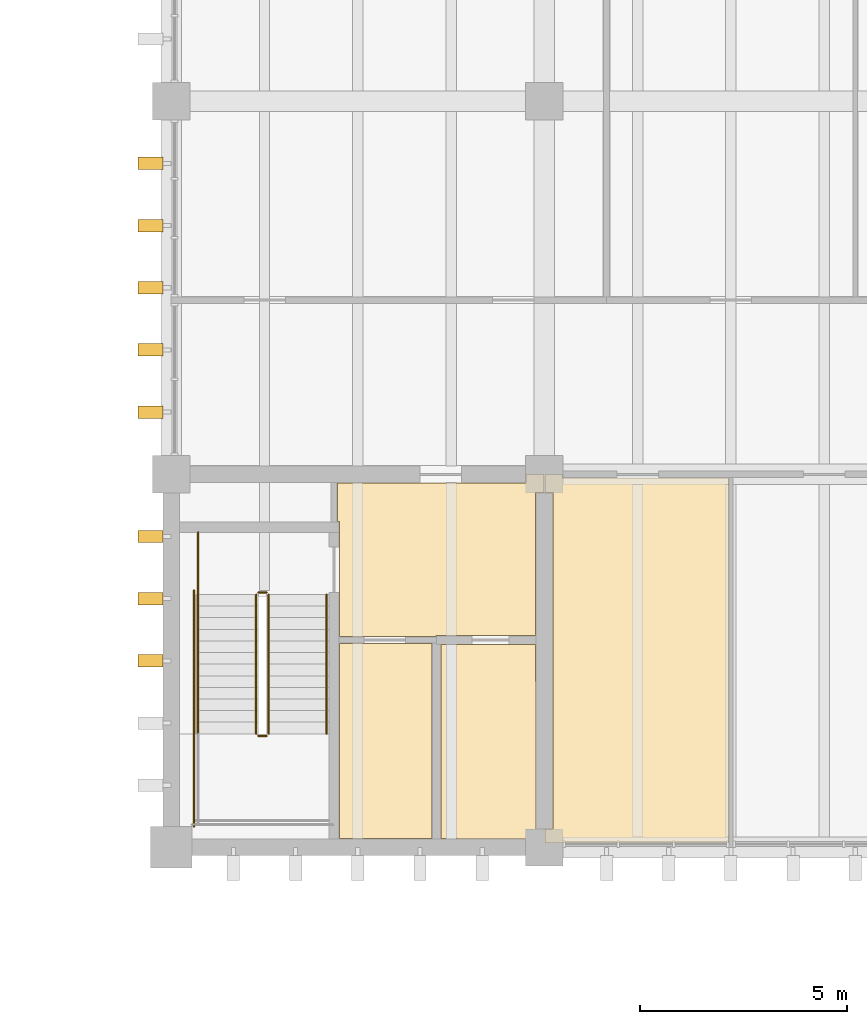
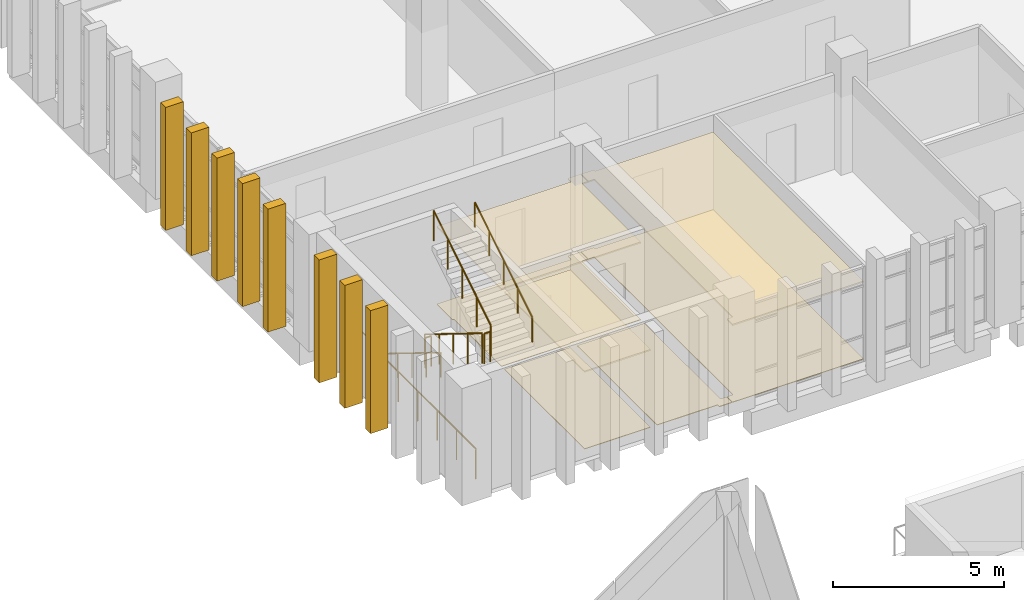
# One storey, part 71 of 74: 8 railings, 8 shading devices, 7 coverings.
"""IFC4 building model written with IfcOpenShell, lengths in metres."""

from ifc_helpers import new_model, si_unit, direction, frame, origin, origin_2d, place, context, subcontext, project, spatial, polyline, circle, outline, extrude, source, transform, mapped, material, layer, layer_set, type_object, element, save


model = new_model("IFC4")

# Units and contexts
model_context = context("Model", 3, precision=1e-05, world=origin(), true_north=direction((0.0, 1.0)))
body_context = subcontext(model_context, "Body", "Model", "MODEL_VIEW")
ifc_project = project(units=[si_unit("LENGTHUNIT", "METRE"), si_unit("AREAUNIT", "SQUARE_METRE"), si_unit("VOLUMEUNIT", "CUBIC_METRE"), si_unit("PLANEANGLEUNIT", "RADIAN"), si_unit("MASSUNIT", "GRAM", prefix="KILO")], contexts=[model_context])

# Site, building, storey
site_placement = place(None, origin())
site = spatial("IfcSite", under=ifc_project, at=site_placement, CompositionType="ELEMENT")
building_placement = place(site_placement, origin())
building = spatial("IfcBuilding", under=site, at=building_placement, Name="Merrow Basin Faculty of Sciences", CompositionType="ELEMENT")
storey_placement = place(building_placement, frame((0.0, 0.0, 13.5)))
storey = spatial("IfcBuildingStorey", under=building, at=storey_placement, Name="L03", CompositionType="ELEMENT", Elevation=13.5)

# Coverings
ifc_material_1 = material(Name="Carpet tile floor")
ifc_layer_1 = layer(ifc_material_1, 0.02001953125)
ifc_layer_set_1 = layer_set([ifc_layer_1], Name="Carpet tile floor")
covering_type_1 = type_object("IfcCoveringType", Name="Carpet tile floor", PredefinedType="FLOORING", material=ifc_layer_set_1)
covering_1_placement = place(storey_placement, origin())
element("IfcCovering", 1, at=covering_1_placement, inside=storey, type_object=covering_type_1, Name="Floor finish L03-T-011", PredefinedType="FLOORING", context=body_context, shape_type="SweptSolid", body=[
    extrude(outline(polyline([(26.989990234375, 142.110107421875), (26.56005859375, 142.110107421875), (26.56005859375, 142.2099609375), (24.510009765625, 142.2099609375), (24.510009765625, 146.889892578125), (26.7900390625, 146.889892578125), (26.7900390625, 142.43994140625), (26.989990234375, 142.43994140625), (26.989990234375, 142.110107421875)])), origin(), (0.0, 0.0, 1.0), 0.02001953125),
])
covering_2_placement = place(storey_placement, origin())
element("IfcCovering", 2, at=covering_2_placement, inside=storey, type_object=covering_type_1, Name="Floor finish L03-T-017", PredefinedType="FLOORING", context=body_context, shape_type="SweptSolid", body=[
    extrude(outline(polyline([(27.43994140625, 150.989990234375), (27.43994140625, 150.9150390625), (31.43994140625, 150.9150390625), (31.43994140625, 142.110107421875), (27.010009765625, 142.110107421875), (27.010009765625, 142.43994140625), (27.2099609375, 142.43994140625), (27.2099609375, 150.56005859375), (27.010009765625, 150.56005859375), (27.010009765625, 150.989990234375), (27.43994140625, 150.989990234375)])), origin(), (0.0, 0.0, 1.0), 0.02001953125),
])
ifc_material_2 = material(Name="Ceramic floor tile")
ifc_layer_2 = layer(ifc_material_2, 0.02001953125)
ifc_layer_set_2 = layer_set([ifc_layer_2], Name="Ceramic floor tile")
covering_type_2 = type_object("IfcCoveringType", Name="Ceramic floor tile", PredefinedType="FLOORING", material=ifc_layer_set_2)
covering_3_placement = place(storey_placement, origin())
element("IfcCovering", 3, at=covering_3_placement, inside=storey, type_object=covering_type_2, Name="Floor finish L03-T-010", PredefinedType="FLOORING", context=body_context, shape_type="SweptSolid", body=[
    extrude(outline(polyline([(24.2900390625, 146.9150390625), (24.2900390625, 142.2099609375), (22.06005859375, 142.2099609375), (22.06005859375, 146.9150390625), (24.2900390625, 146.9150390625)])), origin(), (0.0, 0.0, 1.0), 0.02001953125),
])
ifc_material_3 = material(Name="Polished terrazzo floor")
ifc_layer_3 = layer(ifc_material_3, 0.02001953125)
ifc_layer_set_3 = layer_set([ifc_layer_3], Name="Polished terrazzo floor")
covering_type_3 = type_object("IfcCoveringType", Name="Polished terrazzo floor", PredefinedType="FLOORING", material=ifc_layer_set_3)
covering_4_placement = place(storey_placement, origin())
element("IfcCovering", 4, at=covering_4_placement, inside=storey, type_object=covering_type_3, Name="Floor finish L03-T-009", PredefinedType="FLOORING", context=body_context, shape_type="SweptSolid", body=[
    extrude(outline(polyline([(26.989990234375, 150.989990234375), (26.989990234375, 150.56005859375), (26.7900390625, 150.56005859375), (26.7900390625, 147.110107421875), (24.389892578125, 147.110107421875), (24.389892578125, 147.0849609375), (22.06005859375, 147.0849609375), (22.06005859375, 149.860107421875), (22.010009765625, 149.860107421875), (22.010009765625, 150.7900390625), (26.56005859375, 150.7900390625), (26.56005859375, 150.989990234375), (26.989990234375, 150.989990234375)])), origin(), (0.0, 0.0, 1.0), 0.02001953125),
])

# Railings
ifc_material_4 = material(Name="Steel ASTM A36", Category="steel")
railing_type_1 = type_object("IfcRailingType", Name="Steel guard 1100", PredefinedType="GUARDRAIL", material=ifc_material_4)
railing_1_placement = place(storey_placement, frame((20.050048828125, 148.10009765625, 0.173095703125)))
element("IfcRailing", 5, at=railing_1_placement, inside=storey, type_object=railing_type_1, Name="L03 ST-V5-W stair guard 1", PredefinedType="GUARDRAIL", context=body_context, shape_type="SweptSolid", body=[
    extrude(circle(Radius=0.02392578125, at=origin_2d()), frame((0.0, 0.0, 1.076171875), z_axis=(0.0, -0.850623216509, 0.525775754039), x_axis=(1.0, 0.0, 0.0)), (0.0, 0.0, 1.0), 3.9501953125),
    extrude(circle(Radius=0.02099609375, at=origin_2d()), origin(), (0.0, 0.0, 1.0), 1.052001953125),
    extrude(circle(Radius=0.02099609375, at=origin_2d()), frame((0.0, -0.840087890625, 0.519287109375)), (0.0, 0.0, 1.0), 1.052001953125),
    extrude(circle(Radius=0.02099609375, at=origin_2d()), frame((0.0, -1.68017578125, 1.03857421875)), (0.0, 0.0, 1.0), 1.052001953125),
    extrude(circle(Radius=0.02099609375, at=origin_2d()), frame((0.0, -2.52001953125, 1.5576171875)), (0.0, 0.0, 1.0), 1.052001953125),
    extrude(circle(Radius=0.02099609375, at=origin_2d()), frame((0.0, -3.360107421875, 2.076904296875)), (0.0, 0.0, 1.0), 1.052001953125),
])
railing_2_placement = place(storey_placement, frame((20.10009765625, 144.68994140625, 2.25)))
element("IfcRailing", 6, at=railing_2_placement, inside=storey, type_object=railing_type_1, Name="L03 ST-V5-W stair guard 2", PredefinedType="GUARDRAIL", context=body_context, shape_type="SweptSolid", body=[
    extrude(circle(Radius=0.02392578125, at=origin_2d()), frame((0.0, 0.0, 1.076171875), z_axis=(1.0, 0.0, 0.0), x_axis=(0.0, 1.0, 0.0)), (0.0, 0.0, 1.0), 0.199951171875),
    extrude(circle(Radius=0.02099609375, at=origin_2d()), origin(), (0.0, 0.0, 1.0), 1.052001953125),
    extrude(circle(Radius=0.02099609375, at=origin_2d()), frame((0.199951171875, 0.0, 0.0)), (0.0, 0.0, 1.0), 1.052001953125),
])
railing_3_placement = place(storey_placement, frame((20.35009765625, 144.739990234375, 2.423095703125)))
element("IfcRailing", 7, at=railing_3_placement, inside=storey, type_object=railing_type_1, Name="L03 ST-V5-W stair guard 5", PredefinedType="GUARDRAIL", context=body_context, shape_type="SweptSolid", body=[
    extrude(circle(Radius=0.02392578125, at=origin_2d()), frame((0.0, 0.0, 1.076171875), z_axis=(0.0, 0.850623216509, 0.525775754039), x_axis=(-1.0, 0.0, 0.0)), (0.0, 0.0, 1.0), 3.9501953125),
    extrude(circle(Radius=0.02099609375, at=origin_2d()), origin(), (0.0, 0.0, 1.0), 1.052001953125),
    extrude(circle(Radius=0.02099609375, at=origin_2d()), frame((0.0, 0.840087890625, 0.519287109375)), (0.0, 0.0, 1.0), 1.052001953125),
    extrude(circle(Radius=0.02099609375, at=origin_2d()), frame((0.0, 1.68017578125, 1.03857421875)), (0.0, 0.0, 1.0), 1.052001953125),
    extrude(circle(Radius=0.02099609375, at=origin_2d()), frame((0.0, 2.52001953125, 1.5576171875)), (0.0, 0.0, 1.0), 1.052001953125),
    extrude(circle(Radius=0.02099609375, at=origin_2d()), frame((0.0, 3.360107421875, 2.076904296875)), (0.0, 0.0, 1.0), 1.052001953125),
])
railing_4_placement = place(storey_placement, frame((20.10009765625, 148.14990234375, 0.0)))
element("IfcRailing", 8, at=railing_4_placement, inside=storey, type_object=railing_type_1, Name="L03 ST-V5-W stair guard 6", PredefinedType="GUARDRAIL", context=body_context, shape_type="SweptSolid", body=[
    extrude(circle(Radius=0.02392578125, at=origin_2d()), frame((0.0, 0.0, 1.076171875), z_axis=(1.0, 0.0, 0.0), x_axis=(0.0, 1.0, 0.0)), (0.0, 0.0, 1.0), 0.199951171875),
    extrude(circle(Radius=0.02099609375, at=origin_2d()), origin(), (0.0, 0.0, 1.0), 1.052001953125),
    extrude(circle(Radius=0.02099609375, at=origin_2d()), frame((0.199951171875, 0.0, 0.0)), (0.0, 0.0, 1.0), 1.052001953125),
])
railing_5_placement = place(storey_placement, frame((18.64990234375, 149.60009765625, 0.0)))
element("IfcRailing", 9, at=railing_5_placement, inside=storey, type_object=railing_type_1, Name="L03 ST-V5-W stair guard 7", PredefinedType="GUARDRAIL", context=body_context, shape_type="SweptSolid", body=[
    extrude(circle(Radius=0.02392578125, at=origin_2d()), frame((0.0, 0.0, 1.076171875), z_axis=(0.0, -1.0, 0.0), x_axis=(1.0, 0.0, 0.0)), (0.0, 0.0, 1.0), 1.5),
    extrude(circle(Radius=0.02099609375, at=origin_2d()), origin(), (0.0, 0.0, 1.0), 1.052001953125),
    extrude(circle(Radius=0.02099609375, at=origin_2d()), frame((0.0, -0.75, 0.0)), (0.0, 0.0, 1.0), 1.052001953125),
    extrude(circle(Radius=0.02099609375, at=origin_2d()), frame((0.0, -1.5, 0.0)), (0.0, 0.0, 1.0), 1.052001953125),
])
railing_6_placement = place(storey_placement, frame((18.550048828125, 148.199951171875, 0.0)))
element("IfcRailing", 10, at=railing_6_placement, inside=storey, type_object=railing_type_1, Name="L03 ST-V5-W stair guard 8", PredefinedType="GUARDRAIL", context=body_context, shape_type="SweptSolid", body=[
    extrude(circle(Radius=0.02392578125, at=origin_2d()), frame((0.0, 0.0, 1.076171875), z_axis=(0.0, -1.0, 0.0), x_axis=(1.0, 0.0, 0.0)), (0.0, 0.0, 1.0), 5.699951171875),
    extrude(circle(Radius=0.02099609375, at=origin_2d()), origin(), (0.0, 0.0, 1.0), 1.052001953125),
    extrude(circle(Radius=0.02099609375, at=origin_2d()), frame((0.0, -1.139892578125, 0.0)), (0.0, 0.0, 1.0), 1.052001953125),
    extrude(circle(Radius=0.02099609375, at=origin_2d()), frame((0.0, -2.280029296875, 0.0)), (0.0, 0.0, 1.0), 1.052001953125),
    extrude(circle(Radius=0.02099609375, at=origin_2d()), frame((0.0, -3.419921875, 0.0)), (0.0, 0.0, 1.0), 1.052001953125),
    extrude(circle(Radius=0.02099609375, at=origin_2d()), frame((0.0, -4.56005859375, 0.0)), (0.0, 0.0, 1.0), 1.052001953125),
    extrude(circle(Radius=0.02099609375, at=origin_2d()), frame((0.0, -5.699951171875, 0.0)), (0.0, 0.0, 1.0), 1.052001953125),
])
ifc_material_5 = material(Name="Steel ASTM A36", Category="steel")
railing_type_2 = type_object("IfcRailingType", Name="Steel handrail 900", PredefinedType="HANDRAIL", material=ifc_material_5)
railing_7_placement = place(storey_placement, frame((18.64990234375, 148.10009765625, 0.173095703125)))
element("IfcRailing", 11, at=railing_7_placement, inside=storey, type_object=railing_type_2, Name="L03 ST-V5-W stair handrail 1", PredefinedType="HANDRAIL", context=body_context, shape_type="SweptSolid", body=[
    extrude(circle(Radius=0.02392578125, at=origin_2d()), frame((0.0, 0.0, 0.8759765625), z_axis=(0.0, -0.850623216509, 0.525775754039), x_axis=(1.0, 0.0, 0.0)), (0.0, 0.0, 1.0), 3.9501953125),
    extrude(circle(Radius=0.02099609375, at=origin_2d()), origin(), (0.0, 0.0, 1.0), 0.851806640625),
    extrude(circle(Radius=0.02099609375, at=origin_2d()), frame((0.0, -0.840087890625, 0.519287109375)), (0.0, 0.0, 1.0), 0.851806640625),
    extrude(circle(Radius=0.02099609375, at=origin_2d()), frame((0.0, -1.68017578125, 1.03857421875)), (0.0, 0.0, 1.0), 0.851806640625),
    extrude(circle(Radius=0.02099609375, at=origin_2d()), frame((0.0, -2.52001953125, 1.5576171875)), (0.0, 0.0, 1.0), 0.851806640625),
    extrude(circle(Radius=0.02099609375, at=origin_2d()), frame((0.0, -3.360107421875, 2.076904296875)), (0.0, 0.0, 1.0), 0.851806640625),
])
railing_8_placement = place(storey_placement, frame((21.75, 144.739990234375, 2.423095703125)))
element("IfcRailing", 12, at=railing_8_placement, inside=storey, type_object=railing_type_2, Name="L03 ST-V5-W stair handrail 2", PredefinedType="HANDRAIL", context=body_context, shape_type="SweptSolid", body=[
    extrude(circle(Radius=0.02392578125, at=origin_2d()), frame((0.0, 0.0, 0.8759765625), z_axis=(0.0, 0.850623216509, 0.525775754039), x_axis=(-1.0, 0.0, 0.0)), (0.0, 0.0, 1.0), 3.9501953125),
    extrude(circle(Radius=0.02099609375, at=origin_2d()), origin(), (0.0, 0.0, 1.0), 0.851806640625),
    extrude(circle(Radius=0.02099609375, at=origin_2d()), frame((0.0, 0.840087890625, 0.519287109375)), (0.0, 0.0, 1.0), 0.851806640625),
    extrude(circle(Radius=0.02099609375, at=origin_2d()), frame((0.0, 1.68017578125, 1.03857421875)), (0.0, 0.0, 1.0), 0.851806640625),
    extrude(circle(Radius=0.02099609375, at=origin_2d()), frame((0.0, 2.52001953125, 1.5576171875)), (0.0, 0.0, 1.0), 0.851806640625),
    extrude(circle(Radius=0.02099609375, at=origin_2d()), frame((0.0, 3.360107421875, 2.076904296875)), (0.0, 0.0, 1.0), 0.851806640625),
])

# Coverings
ifc_material_6 = material(Name="Mineral fibre ceiling tile")
ifc_layer_4 = layer(ifc_material_6, 0.050048828125)
ifc_layer_set_4 = layer_set([ifc_layer_4], Name="Suspended acoustic ceiling tile")
covering_type_4 = type_object("IfcCoveringType", Name="Suspended acoustic ceiling tile", PredefinedType="CEILING", material=ifc_layer_set_4)
covering_5_placement = place(storey_placement, frame((0.0, 0.0, 2.75)))
element("IfcCovering", 13, at=covering_5_placement, inside=storey, type_object=covering_type_4, Name="Ceiling L03-T-009", PredefinedType="CEILING", context=body_context, shape_type="SweptSolid", body=[
    extrude(outline(polyline([(26.989990234375, 150.989990234375), (26.989990234375, 150.56005859375), (26.7900390625, 150.56005859375), (26.7900390625, 147.110107421875), (24.389892578125, 147.110107421875), (24.389892578125, 147.0849609375), (22.06005859375, 147.0849609375), (22.06005859375, 149.860107421875), (22.010009765625, 149.860107421875), (22.010009765625, 150.7900390625), (26.56005859375, 150.7900390625), (26.56005859375, 150.989990234375), (26.989990234375, 150.989990234375)])), origin(), (0.0, 0.0, 1.0), 0.050048828125),
])
covering_6_placement = place(storey_placement, frame((0.0, 0.0, 2.75)))
element("IfcCovering", 14, at=covering_6_placement, inside=storey, type_object=covering_type_4, Name="Ceiling L03-T-010", PredefinedType="CEILING", context=body_context, shape_type="SweptSolid", body=[
    extrude(outline(polyline([(24.2900390625, 146.9150390625), (24.2900390625, 142.2099609375), (22.06005859375, 142.2099609375), (22.06005859375, 146.9150390625), (24.2900390625, 146.9150390625)])), origin(), (0.0, 0.0, 1.0), 0.050048828125),
])
covering_7_placement = place(storey_placement, frame((0.0, 0.0, 2.75)))
element("IfcCovering", 15, at=covering_7_placement, inside=storey, type_object=covering_type_4, Name="Ceiling L03-T-017", PredefinedType="CEILING", context=body_context, shape_type="SweptSolid", body=[
    extrude(outline(polyline([(27.43994140625, 150.989990234375), (27.43994140625, 150.9150390625), (31.43994140625, 150.9150390625), (31.43994140625, 142.110107421875), (27.010009765625, 142.110107421875), (27.010009765625, 142.43994140625), (27.2099609375, 142.43994140625), (27.2099609375, 150.56005859375), (27.010009765625, 150.56005859375), (27.010009765625, 150.989990234375), (27.43994140625, 150.989990234375)])), origin(), (0.0, 0.0, 1.0), 0.050048828125),
])

# Shading devices
ifc_material_7 = material(Name="White precast concrete C50/60", Category="concrete")
shading_device_type = type_object("IfcShadingDeviceType", Name="White precast fin 300 x 600", PredefinedType="USERDEFINED", material=ifc_material_7)
shared_shape = source(origin(), body_context, "Body", "SweptSolid", [
    extrude(outline(polyline([(0.0, 0.0), (0.300048828125, 0.0), (0.300048828125, 4.39990234375), (0.0, 4.39990234375), (0.0, 0.0)])), origin(), (0.0, 0.0, 1.0), 0.60009765625),
])
for number, where, z_axis, x_axis, name in (
    (16, (17.800048828125, 146.64990234375, -0.25), (-1.0, 0.0, 0.0), (0.0, -1.0, 0.0), "Brise-soleil fin WL03"),
    (17, (17.800048828125, 148.14990234375, -0.25), (-1.0, 0.0, 0.0), (0.0, -1.0, 0.0), "Brise-soleil fin WL03"),
    (18, (17.800048828125, 149.64990234375, -0.25), (-1.0, 0.0, 0.0), (0.0, -1.0, 0.0), "Brise-soleil fin WL03"),
    (19, (17.800048828125, 152.64990234375, -0.25), (-1.0, 0.0, 0.0), (0.0, -1.0, 0.0), "Brise-soleil fin WL03"),
    (20, (17.800048828125, 154.14990234375, -0.25), (-1.0, 0.0, 0.0), (0.0, -1.0, 0.0), "Brise-soleil fin WL03"),
    (21, (17.800048828125, 155.64990234375, -0.25), (-1.0, 0.0, 0.0), (0.0, -1.0, 0.0), "Brise-soleil fin WL03"),
    (22, (17.800048828125, 157.14990234375, -0.25), (-1.0, 0.0, 0.0), (0.0, -1.0, 0.0), "Brise-soleil fin WL03"),
    (23, (17.800048828125, 158.64990234375, -0.25), (-1.0, 0.0, 0.0), (0.0, -1.0, 0.0), "Brise-soleil fin WL03"),
):
    element("IfcShadingDevice", number, at=place(storey_placement, frame(where, z_axis=z_axis, x_axis=x_axis)), inside=storey, type_object=shading_device_type, Name=name, ObjectType="FIN", PredefinedType="USERDEFINED", context=body_context, shape_type="MappedRepresentation", body=[
        mapped(shared_shape, transform((0.0, 0.0, 0.0), scale=1.0)),
    ])

save(model, "model.ifc")
